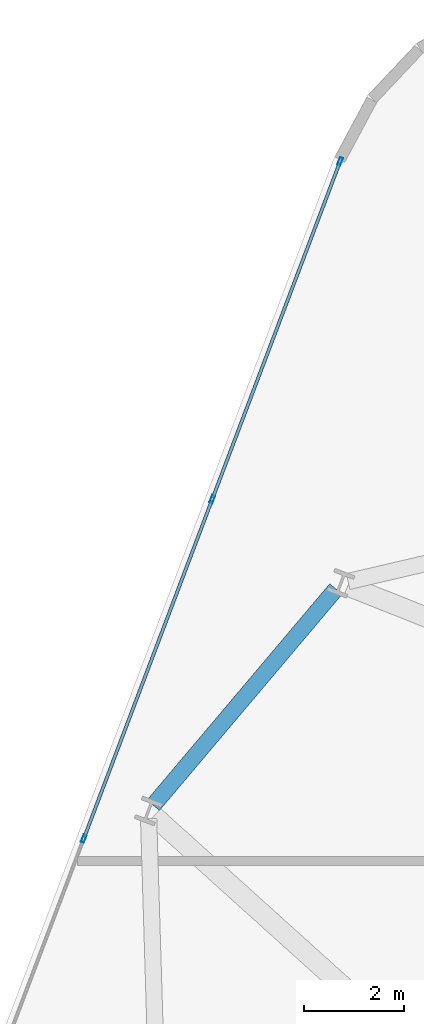
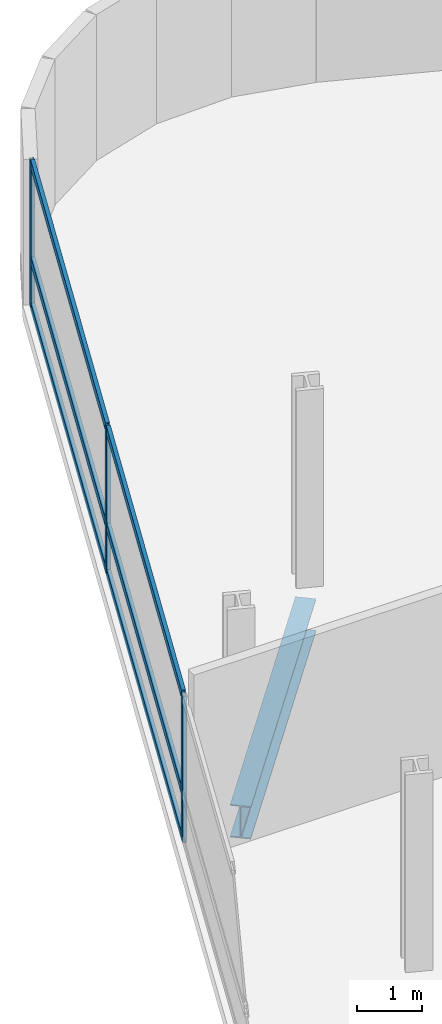
# One storey, part 8 of 25: 9 members, 1 beam, 1 element without a shape of its own.
"""IFC4 building model written with IfcOpenShell, lengths in metres."""

from ifc_helpers import new_model, si_unit, direction, frame, origin, origin_2d, place, context, subcontext, project, spatial, hollow_rectangle, i_section, extrude, material, layer, layer_set, material_profile, profile_set, type_object, element, aggregate, save


model = new_model("IFC4")

# Units and contexts
model_context = context("Model", 3, precision=1e-05, world=origin(), true_north=direction((0.0, 1.0)))
body_context = subcontext(model_context, "Body", "Model", "MODEL_VIEW")
ifc_project = project(units=[si_unit("LENGTHUNIT", "METRE"), si_unit("AREAUNIT", "SQUARE_METRE"), si_unit("VOLUMEUNIT", "CUBIC_METRE"), si_unit("PLANEANGLEUNIT", "RADIAN"), si_unit("MASSUNIT", "GRAM", prefix="KILO")], contexts=[model_context])

# Site, building, storey
site_placement = place(None, origin())
site = spatial("IfcSite", under=ifc_project, at=site_placement, CompositionType="ELEMENT")
building_placement = place(site_placement, origin())
building = spatial("IfcBuilding", under=site, at=building_placement, Name="Varnelok Gate Tower", CompositionType="ELEMENT")
storey_placement = place(building_placement, frame((0.0, 0.0, 83.60009765625)))
storey = spatial("IfcBuildingStorey", under=building, at=storey_placement, Name="L20", CompositionType="ELEMENT", Elevation=83.60009765625)

# Beam
ifc_material_1 = material(Name="Structural Steel ASTM A992 Grade 50", Category="steel")
ifc_material_profile_1 = material_profile(ifc_material_1, i_section(OverallWidth=0.323974609375, OverallDepth=0.611083984375, WebThickness=0.0126953125, FlangeThickness=0.01904296875, FilletRadius=0.01806640625, at=origin_2d()), Name="W24X104")
ifc_profile_set_1 = profile_set([ifc_material_profile_1], Name="Structural Steel ASTM A992 Grade 50")
beam_type = type_object("IfcBeamType", Name="BM-SPN-W24X104", PredefinedType="SPANDREL", material=ifc_profile_set_1)
beam_placement = place(storey_placement, frame((10.66650390625, 46.857666015625, -0.5556640625), z_axis=(-0.645376429405, -0.763864689829, 0.0), x_axis=(0.763864689829, -0.645376429405, 0.0)))
element("IfcBeam", 1, at=beam_placement, inside=storey, type_object=beam_type, Name="L20 Perimeter Spandrel Beam 14", PredefinedType="SPANDREL", context=body_context, shape_type="SweptSolid", body=[
    extrude(i_section(OverallWidth=0.323974609375, OverallDepth=0.611083984375, WebThickness=0.0126953125, FlangeThickness=0.01904296875, FilletRadius=0.01806640625, at=origin_2d()), origin(), (0.0, 0.0, 1.0), 5.64990234375),
])

# Curtain wall, members
ifc_material_2 = material(Name="Anodized Aluminum Alloy 6063-T6", Category="aluminium")
ifc_layer = layer(ifc_material_2, 0.179931640625)
ifc_layer_set = layer_set([ifc_layer], Name="Anodized Aluminum Alloy 6063-T6")
curtain_wall_type = type_object("IfcCurtainWallType", Name="CW3-HOTEL-VISION", PredefinedType="USERDEFINED", material=ifc_layer_set)
curtain_wall_placement = place(storey_placement, origin())
curtain_wall = element("IfcCurtainWall", 2, at=curtain_wall_placement, inside=storey, type_object=curtain_wall_type, Name="L20 West End Vision Curtain Wall", ObjectType="UNITISED CURTAIN WALL", PredefinedType="USERDEFINED")
ifc_material_profile_2 = material_profile(ifc_material_2, hollow_rectangle(XDim=0.06494140625, YDim=0.159912109375, WallThickness=0.00390625, at=origin_2d()), Name="ALU160X65X4")
ifc_profile_set_2 = profile_set([ifc_material_profile_2], Name="Anodized Aluminum Alloy 6063-T6")
member_type_1 = type_object("IfcMemberType", Name="CW-MULL-160", PredefinedType="MULLION", material=ifc_profile_set_2)
member_1_placement = place(storey_placement, frame((5.63525390625, 41.8779296875, 0.0), z_axis=(0.0, 0.0, 1.0), x_axis=(-0.935221323688, 0.354063660545, 0.0)))
member_1 = element("IfcMember", 3, at=member_1_placement, type_object=member_type_1, Name="CW3 mullion 4", PredefinedType="MULLION", context=body_context, shape_type="SweptSolid", body=[
    extrude(hollow_rectangle(XDim=0.06494140625, YDim=0.159912109375, WallThickness=0.00390625, at=origin_2d()), origin(), (0.0, 0.0, 1.0), 2.72998046875),
])
member_2_placement = place(storey_placement, frame((8.19873046875, 48.64892578125, 0.0), z_axis=(0.0, 0.0, 1.0), x_axis=(-0.935221323688, 0.354063660545, 0.0)))
member_2 = element("IfcMember", 4, at=member_2_placement, type_object=member_type_1, Name="CW3 mullion 5", PredefinedType="MULLION", context=body_context, shape_type="SweptSolid", body=[
    extrude(hollow_rectangle(XDim=0.06494140625, YDim=0.159912109375, WallThickness=0.00390625, at=origin_2d()), origin(), (0.0, 0.0, 1.0), 2.72998046875),
])
member_3_placement = place(storey_placement, frame((10.750732421875, 55.389404296875, 0.0), z_axis=(0.0, 0.0, 1.0), x_axis=(-0.935221323688, 0.354063660545, 0.0)))
member_3 = element("IfcMember", 5, at=member_3_placement, type_object=member_type_1, Name="CW3 mullion 6", PredefinedType="MULLION", context=body_context, shape_type="SweptSolid", body=[
    extrude(hollow_rectangle(XDim=0.06494140625, YDim=0.159912109375, WallThickness=0.00390625, at=origin_2d()), origin(), (0.0, 0.0, 1.0), 2.72998046875),
])
ifc_material_profile_3 = material_profile(ifc_material_2, hollow_rectangle(XDim=0.06494140625, YDim=0.159912109375, WallThickness=0.00390625, at=origin_2d()), Name="ALU160X65X4")
ifc_profile_set_3 = profile_set([ifc_material_profile_3], Name="Anodized Aluminum Alloy 6063-T6")
member_type_2 = type_object("IfcMemberType", Name="CW-TRAN-160", PredefinedType="USERDEFINED", material=ifc_profile_set_3)
member_4_placement = place(storey_placement, frame((5.64697265625, 41.908203125, 0.032470703125), z_axis=(0.354048963644, 0.935226887628, 0.0), x_axis=(-0.935226887628, 0.354048963644, 0.0)))
member_4 = element("IfcMember", 6, at=member_4_placement, type_object=member_type_2, Name="CW3 transom 4.1", ObjectType="TRANSOM", PredefinedType="USERDEFINED", context=body_context, shape_type="SweptSolid", body=[
    extrude(hollow_rectangle(XDim=0.06494140625, YDim=0.159912109375, WallThickness=0.00390625, at=origin_2d()), origin(), (0.0, 0.0, 1.0), 7.175048828125),
])
member_5_placement = place(storey_placement, frame((5.64697265625, 41.908203125, 0.89990234375), z_axis=(0.354048963644, 0.935226887628, 0.0), x_axis=(-0.935226887628, 0.354048963644, 0.0)))
member_5 = element("IfcMember", 7, at=member_5_placement, type_object=member_type_2, Name="CW3 transom 4.2", ObjectType="TRANSOM", PredefinedType="USERDEFINED", context=body_context, shape_type="SweptSolid", body=[
    extrude(hollow_rectangle(XDim=0.06494140625, YDim=0.159912109375, WallThickness=0.00390625, at=origin_2d()), origin(), (0.0, 0.0, 1.0), 7.175048828125),
])
member_6_placement = place(storey_placement, frame((5.64697265625, 41.908203125, 2.697509765625), z_axis=(0.354048963644, 0.935226887628, 0.0), x_axis=(-0.935226887628, 0.354048963644, 0.0)))
member_6 = element("IfcMember", 8, at=member_6_placement, type_object=member_type_2, Name="CW3 transom 4.3", ObjectType="TRANSOM", PredefinedType="USERDEFINED", context=body_context, shape_type="SweptSolid", body=[
    extrude(hollow_rectangle(XDim=0.06494140625, YDim=0.159912109375, WallThickness=0.00390625, at=origin_2d()), origin(), (0.0, 0.0, 1.0), 7.175048828125),
])
member_7_placement = place(storey_placement, frame((8.210205078125, 48.67919921875, 0.032470703125), z_axis=(0.354077146385, 0.935216217999, 0.0), x_axis=(-0.935216217999, 0.354077146385, 0.0)))
member_7 = element("IfcMember", 9, at=member_7_placement, type_object=member_type_2, Name="CW3 transom 5.1", ObjectType="TRANSOM", PredefinedType="USERDEFINED", context=body_context, shape_type="SweptSolid", body=[
    extrude(hollow_rectangle(XDim=0.06494140625, YDim=0.159912109375, WallThickness=0.00390625, at=origin_2d()), origin(), (0.0, 0.0, 1.0), 7.142578125),
])
member_8_placement = place(storey_placement, frame((8.210205078125, 48.67919921875, 0.89990234375), z_axis=(0.354077146385, 0.935216217999, 0.0), x_axis=(-0.935216217999, 0.354077146385, 0.0)))
member_8 = element("IfcMember", 10, at=member_8_placement, type_object=member_type_2, Name="CW3 transom 5.2", ObjectType="TRANSOM", PredefinedType="USERDEFINED", context=body_context, shape_type="SweptSolid", body=[
    extrude(hollow_rectangle(XDim=0.06494140625, YDim=0.159912109375, WallThickness=0.00390625, at=origin_2d()), origin(), (0.0, 0.0, 1.0), 7.142578125),
])
member_9_placement = place(storey_placement, frame((8.210205078125, 48.67919921875, 2.697509765625), z_axis=(0.354077146385, 0.935216217999, 0.0), x_axis=(-0.935216217999, 0.354077146385, 0.0)))
member_9 = element("IfcMember", 11, at=member_9_placement, type_object=member_type_2, Name="CW3 transom 5.3", ObjectType="TRANSOM", PredefinedType="USERDEFINED", context=body_context, shape_type="SweptSolid", body=[
    extrude(hollow_rectangle(XDim=0.06494140625, YDim=0.159912109375, WallThickness=0.00390625, at=origin_2d()), origin(), (0.0, 0.0, 1.0), 7.142578125),
])
aggregate(curtain_wall, [member_1, member_2, member_3, member_4, member_5, member_6, member_7, member_8, member_9])

save(model, "model.ifc")
